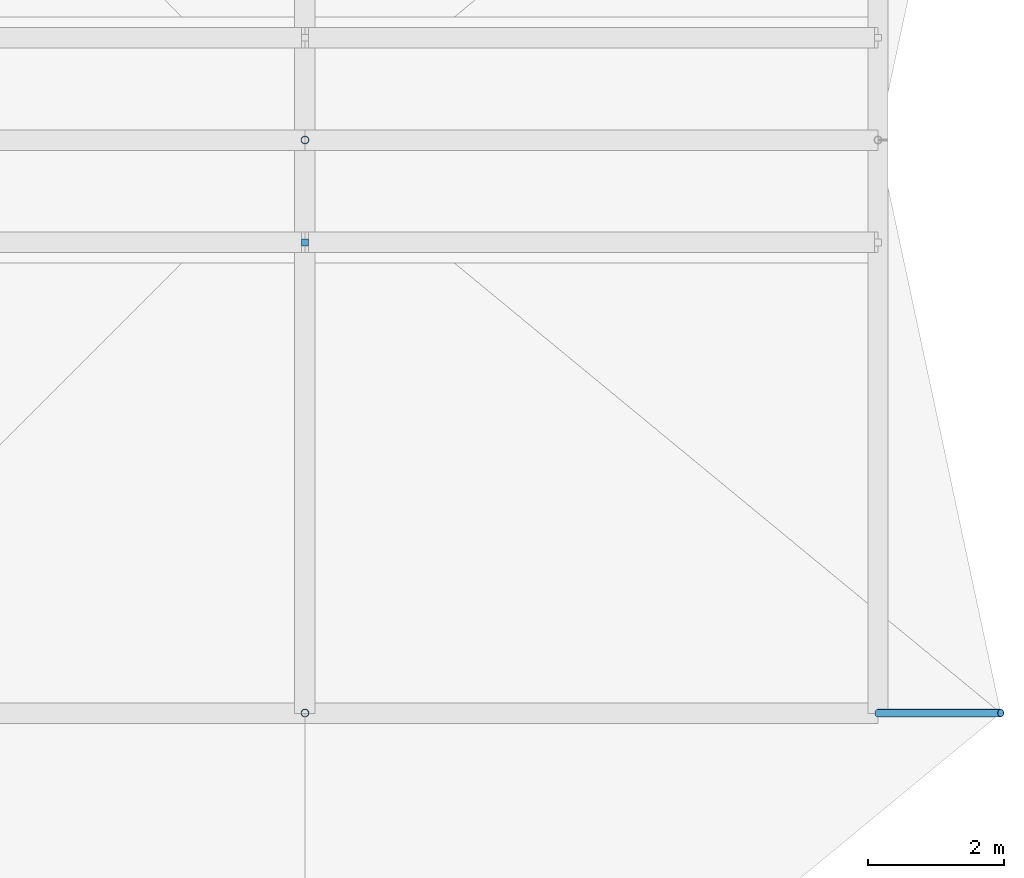
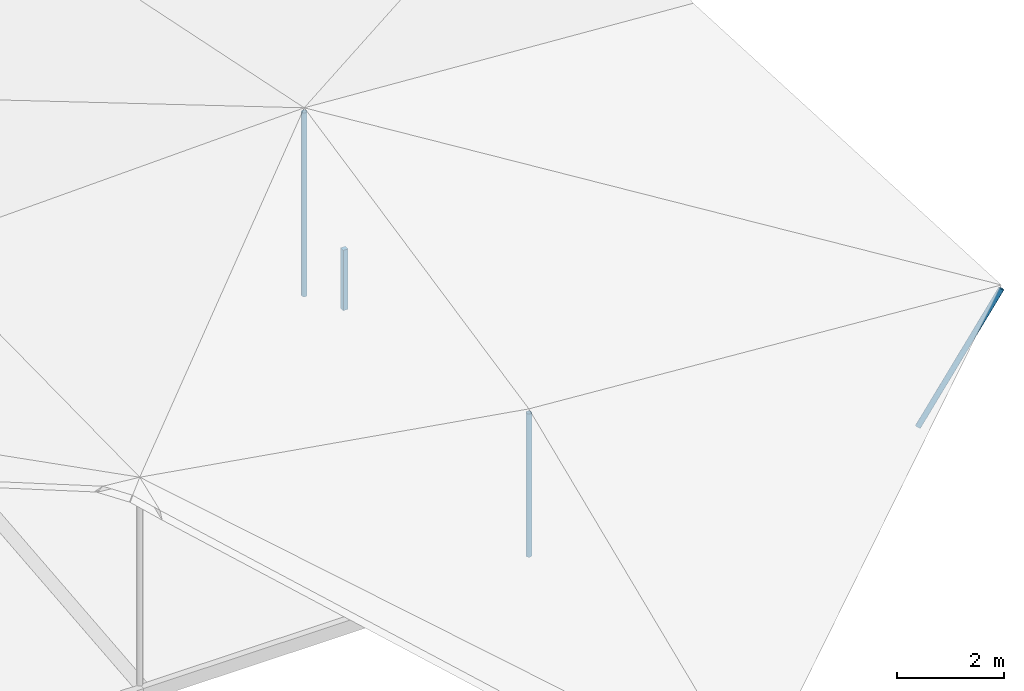
# One storey, part 21 of 46: 4 discrete accessories.
"""IFC4 building model written with IfcOpenShell, lengths in metres."""

from ifc_helpers import new_model, si_unit, direction, frame, origin, origin_2d, place, context, subcontext, project, spatial, rectangle, hollow_circle, extrude, material, layer, layer_set, material_profile, profile_set, type_object, element, save


model = new_model("IFC4")

# Units and contexts
model_context = context("Model", 3, precision=1e-05, world=origin(), true_north=direction((0.0, 1.0)))
body_context = subcontext(model_context, "Body", "Model", "MODEL_VIEW")
ifc_project = project(units=[si_unit("LENGTHUNIT", "METRE"), si_unit("AREAUNIT", "SQUARE_METRE"), si_unit("VOLUMEUNIT", "CUBIC_METRE"), si_unit("PLANEANGLEUNIT", "RADIAN"), si_unit("MASSUNIT", "GRAM", prefix="KILO")], contexts=[model_context])

# Site, building, storey
site_placement = place(None, origin())
site = spatial("IfcSite", under=ifc_project, at=site_placement, CompositionType="ELEMENT")
building_placement = place(site_placement, origin())
building = spatial("IfcBuilding", under=site, at=building_placement, Name="Rain Tree Exposition and Congress Centre", CompositionType="ELEMENT")
storey_placement = place(building_placement, frame((0.0, 0.0, 27.0)))
storey = spatial("IfcBuildingStorey", under=building, at=storey_placement, Name="ROOF VAULT CREST", CompositionType="ELEMENT", Elevation=27.0)

# Discrete accessories
ifc_material_1 = material(Name="Steel S355J2", Category="steel")
ifc_layer = layer(ifc_material_1, 0.10009765625)
ifc_layer_set = layer_set([ifc_layer], Name="Steel S355J2")
discrete_accessory_type_1 = type_object("IfcDiscreteAccessoryType", Name="Ridge lantern post 100", PredefinedType="BRACKET", material=ifc_layer_set)
discrete_accessory_1_placement = place(storey_placement, frame((235.199951171875, 124.5, 2.0), z_axis=(0.0, 0.0, 1.0), x_axis=(1.0, 0.0, 0.0)))
element("IfcDiscreteAccessory", 1, at=discrete_accessory_1_placement, inside=storey, type_object=discrete_accessory_type_1, Name="Lantern post S11", PredefinedType="BRACKET", context=body_context, shape_type="SweptSolid", body=[
    extrude(rectangle(XDim=0.10009765625, YDim=0.10009765625, at=origin_2d()), origin(), (0.0, 0.0, 1.0), 1.3798828125),
])
ifc_material_2 = material(Name="Steel S355J2H", Category="steel")
ifc_material_profile = material_profile(ifc_material_2, hollow_circle(Radius=0.05712890625, WallThickness=0.00439453125, at=origin_2d()), Name="CHS 114x4.5")
ifc_profile_set = profile_set([ifc_material_profile], Name="Steel S355J2H")
discrete_accessory_type_2 = type_object("IfcDiscreteAccessoryType", Name="Roof skin post CHS 114x4.5", PredefinedType="BRACKET", material=ifc_profile_set)
discrete_accessory_2_placement = place(storey_placement, frame((235.199951171875, 117.60009765625, 0.551025390625), z_axis=(0.0, 0.0, 1.0), x_axis=(1.0, 0.0, 0.0)))
element("IfcDiscreteAccessory", 2, at=discrete_accessory_2_placement, inside=storey, type_object=discrete_accessory_type_2, Name="Roof skin post B38", PredefinedType="BRACKET", context=body_context, shape_type="SweptSolid", body=[
    extrude(hollow_circle(Radius=0.05712890625, WallThickness=0.00439453125, at=origin_2d()), origin(), (0.0, 0.0, 1.0), 3.26806640625),
])
discrete_accessory_3_placement = place(storey_placement, frame((243.60009765625, 117.60009765625, 0.551025390625), z_axis=(0.580299589292, 0.0, 0.814403086111), x_axis=(0.0, 1.0, 0.0)))
element("IfcDiscreteAccessory", 3, at=discrete_accessory_3_placement, inside=storey, type_object=discrete_accessory_type_2, Name="Roof skin post B39", PredefinedType="BRACKET", context=body_context, shape_type="SweptSolid", body=[
    extrude(hollow_circle(Radius=0.05712890625, WallThickness=0.00439453125, at=origin_2d()), origin(), (0.0, 0.0, 1.0), 3.1015625),
])
discrete_accessory_4_placement = place(storey_placement, frame((235.199951171875, 126.0, 1.39990234375), z_axis=(0.0, 0.0, 1.0), x_axis=(1.0, 0.0, 0.0)))
element("IfcDiscreteAccessory", 4, at=discrete_accessory_4_placement, inside=storey, type_object=discrete_accessory_type_2, Name="Roof skin post B51", PredefinedType="BRACKET", context=body_context, shape_type="SweptSolid", body=[
    extrude(hollow_circle(Radius=0.05712890625, WallThickness=0.00439453125, at=origin_2d()), origin(), (0.0, 0.0, 1.0), 4.197265625),
])

save(model, "model.ifc")
